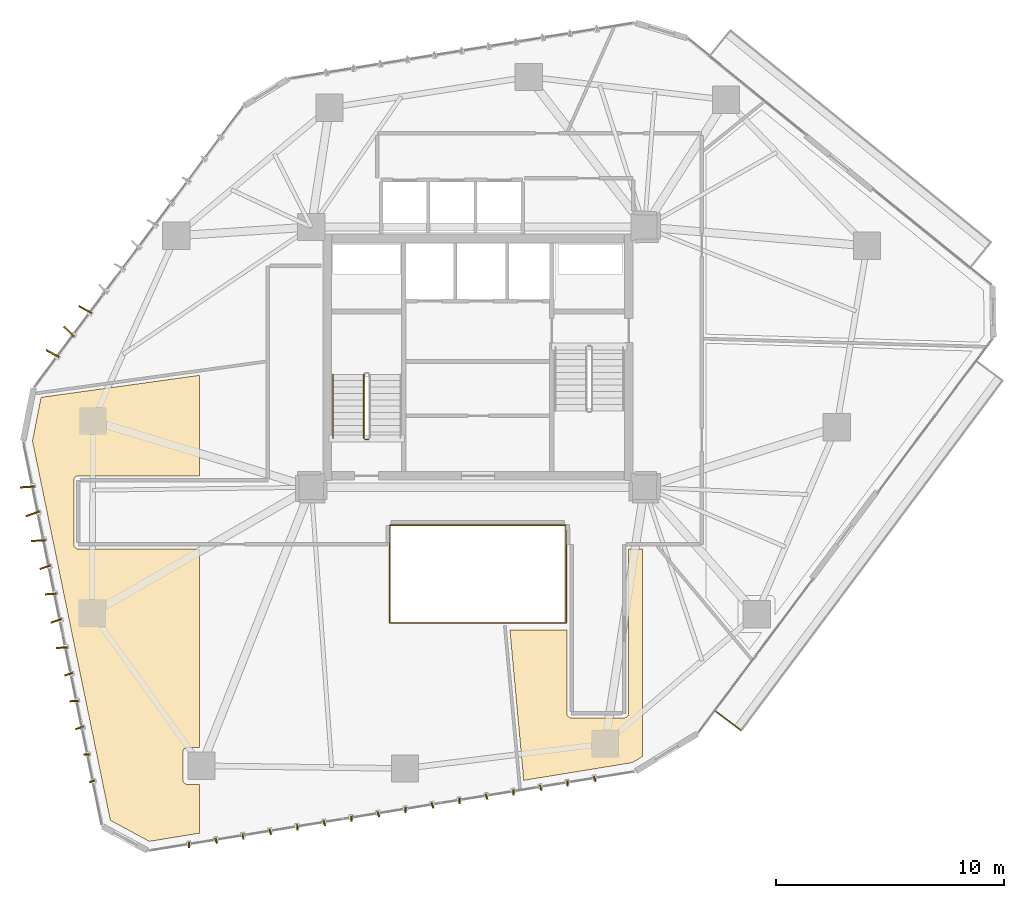
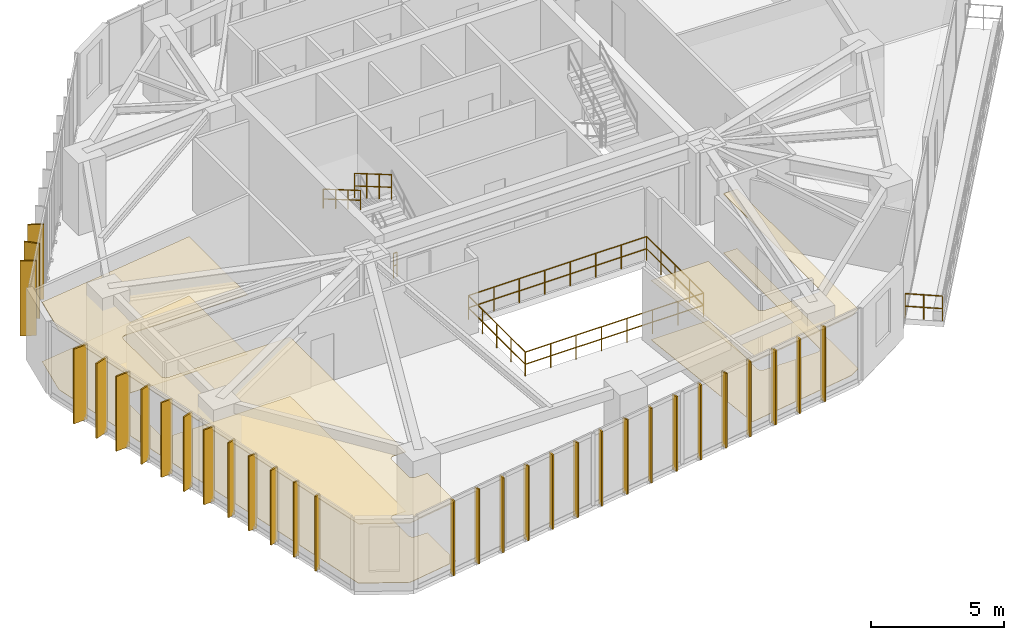
# One storey, part 21 of 23: 31 shading devices, 8 railings, 4 coverings.
"""IFC4 building model written with IfcOpenShell, lengths in metres."""

from ifc_helpers import new_model, si_unit, direction, frame, origin, origin_2d, place, context, subcontext, project, spatial, polyline, rectangle, circle, outline, extrude, source, transform, mapped, material, layer, layer_set, type_object, type_shapes, element, save


model = new_model("IFC4")

# Units and contexts
model_context = context("Model", 3, precision=1e-05, world=origin(), true_north=direction((0.0, 1.0)))
body_context = subcontext(model_context, "Body", "Model", "MODEL_VIEW")
ifc_project = project(units=[si_unit("LENGTHUNIT", "METRE"), si_unit("AREAUNIT", "SQUARE_METRE"), si_unit("VOLUMEUNIT", "CUBIC_METRE"), si_unit("PLANEANGLEUNIT", "RADIAN"), si_unit("MASSUNIT", "GRAM", prefix="KILO")], contexts=[model_context])

# Site, building, storey
site_placement = place(None, origin())
site = spatial("IfcSite", under=ifc_project, at=site_placement, CompositionType="ELEMENT")
building_placement = place(site_placement, origin())
building = spatial("IfcBuilding", under=site, at=building_placement, Name="Talar Marvaseh", CompositionType="ELEMENT")
storey_placement = place(building_placement, frame((0.0, 0.0, 118.199951171875)))
storey = spatial("IfcBuildingStorey", under=building, at=storey_placement, Name="L30", CompositionType="ELEMENT", Elevation=118.199951171875)

# Railings
ifc_material_1 = material(Name="Stainless Steel Grade 316", Category="steel")
railing_type_1 = type_object("IfcRailingType", Name="Brushed Stainless Wall Pitch Handrail 900", PredefinedType="HANDRAIL", material=ifc_material_1)
railing_1_placement = place(storey_placement, frame((19.64990234375, 30.449951171875, 1.963623046875)))
element("IfcRailing", 1, at=railing_1_placement, inside=storey, type_object=railing_type_1, Name="L30 ST-1 stair handrail 2", PredefinedType="HANDRAIL", context=body_context, shape_type="SweptSolid", body=[
    extrude(circle(Radius=0.02392578125, at=origin_2d()), frame((0.0, 0.0, 0.8759765625), z_axis=(0.0, -0.863360870873, 0.504586966384), x_axis=(1.0, 0.0, 0.0)), (0.0, 0.0, 1.0), 3.2431640625),
    extrude(circle(Radius=0.02392578125, at=origin_2d()), frame((0.0, 0.0, 0.42578125), z_axis=(0.0, -0.863360870873, 0.504586966384), x_axis=(1.0, 0.0, 0.0)), (0.0, 0.0, 1.0), 3.2431640625),
    extrude(circle(Radius=0.02099609375, at=origin_2d()), origin(), (0.0, 0.0, 1.0), 0.851806640625),
    extrude(circle(Radius=0.02099609375, at=origin_2d()), frame((0.0, -0.933349609375, 0.54541015625)), (0.0, 0.0, 1.0), 0.851806640625),
    extrude(circle(Radius=0.02099609375, at=origin_2d()), frame((0.0, -1.86669921875, 1.091064453125)), (0.0, 0.0, 1.0), 0.851806640625),
    extrude(circle(Radius=0.02099609375, at=origin_2d()), frame((0.0, -2.800048828125, 1.636474609375)), (0.0, 0.0, 1.0), 0.851806640625),
])
ifc_material_2 = material(Name="Tempered Clear Glass", Category="glass")
railing_type_2 = type_object("IfcRailingType", Name="External Laminated Glass Terrace Balustrade 1150", PredefinedType="BALUSTRADE", material=ifc_material_2)
railing_2_placement = place(storey_placement, frame((37.523681640625, 14.8603515625, 0.0)))
element("IfcRailing", 2, at=railing_2_placement, inside=storey, type_object=railing_type_2, Name="L30 External Terrace Balustrade 2 3", PredefinedType="BALUSTRADE", context=body_context, shape_type="SweptSolid", body=[
    extrude(circle(Radius=0.02392578125, at=origin_2d()), frame((0.0, 0.0, 1.1259765625), z_axis=(-0.801182813661, 0.598419668038, 0.0), x_axis=(-0.598419668038, -0.801182813661, 0.0)), (0.0, 0.0, 1.0), 1.409912109375),
    extrude(circle(Radius=0.02392578125, at=origin_2d()), frame((0.0, 0.0, 0.55078125), z_axis=(-0.801182813661, 0.598419668038, 0.0), x_axis=(-0.598419668038, -0.801182813661, 0.0)), (0.0, 0.0, 1.0), 1.409912109375),
    extrude(circle(Radius=0.02099609375, at=origin_2d()), origin(), (0.0, 0.0, 1.0), 1.101806640625),
    extrude(circle(Radius=0.02099609375, at=origin_2d()), frame((-0.56494140625, 0.421875, 0.0)), (0.0, 0.0, 1.0), 1.101806640625),
    extrude(circle(Radius=0.02099609375, at=origin_2d()), frame((-1.129638671875, 0.84375, 0.0)), (0.0, 0.0, 1.0), 1.101806640625),
])
railing_type_3 = type_object("IfcRailingType", Name="Interior Atrium Edge Balustrade 1120", PredefinedType="BALUSTRADE", material=ifc_material_2)
railing_3_placement = place(storey_placement, frame((22.1298828125, 19.561279296875, 0.0)))
element("IfcRailing", 3, at=railing_3_placement, inside=storey, type_object=railing_type_3, Name="L30 Internal Daylight Atrium Balustrade 1", PredefinedType="BALUSTRADE", context=body_context, shape_type="SweptSolid", body=[
    extrude(circle(Radius=0.02392578125, at=origin_2d()), frame((0.0, 0.0, 1.09619140625), z_axis=(1.0, 0.0, 0.0), x_axis=(0.0, 1.0, 0.0)), (0.0, 0.0, 1.0), 7.740234375),
    extrude(circle(Radius=0.02392578125, at=origin_2d()), frame((0.0, 0.0, 0.5361328125), z_axis=(1.0, 0.0, 0.0), x_axis=(0.0, 1.0, 0.0)), (0.0, 0.0, 1.0), 7.740234375),
    extrude(circle(Radius=0.02099609375, at=origin_2d()), origin(), (0.0, 0.0, 1.0), 1.072021484375),
    extrude(circle(Radius=0.02099609375, at=origin_2d()), frame((1.105712890625, 0.0, 0.0)), (0.0, 0.0, 1.0), 1.072021484375),
    extrude(circle(Radius=0.02099609375, at=origin_2d()), frame((2.21142578125, 0.0, 0.0)), (0.0, 0.0, 1.0), 1.072021484375),
    extrude(circle(Radius=0.02099609375, at=origin_2d()), frame((3.317138671875, 0.0, 0.0)), (0.0, 0.0, 1.0), 1.072021484375),
    extrude(circle(Radius=0.02099609375, at=origin_2d()), frame((4.423095703125, 0.0, 0.0)), (0.0, 0.0, 1.0), 1.072021484375),
    extrude(circle(Radius=0.02099609375, at=origin_2d()), frame((5.52880859375, 0.0, 0.0)), (0.0, 0.0, 1.0), 1.072021484375),
    extrude(circle(Radius=0.02099609375, at=origin_2d()), frame((6.634521484375, 0.0, 0.0)), (0.0, 0.0, 1.0), 1.072021484375),
    extrude(circle(Radius=0.02099609375, at=origin_2d()), frame((7.740234375, 0.0, 0.0)), (0.0, 0.0, 1.0), 1.072021484375),
])
railing_4_placement = place(storey_placement, frame((29.8701171875, 19.561279296875, 0.0)))
element("IfcRailing", 4, at=railing_4_placement, inside=storey, type_object=railing_type_3, Name="L30 Internal Daylight Atrium Balustrade 2", PredefinedType="BALUSTRADE", context=body_context, shape_type="SweptSolid", body=[
    extrude(circle(Radius=0.02392578125, at=origin_2d()), frame((0.0, 0.0, 1.09619140625), z_axis=(0.0, 1.0, 0.0), x_axis=(-1.0, 0.0, 0.0)), (0.0, 0.0, 1.0), 4.27734375),
    extrude(circle(Radius=0.02392578125, at=origin_2d()), frame((0.0, 0.0, 0.5361328125), z_axis=(0.0, 1.0, 0.0), x_axis=(-1.0, 0.0, 0.0)), (0.0, 0.0, 1.0), 4.27734375),
    extrude(circle(Radius=0.02099609375, at=origin_2d()), origin(), (0.0, 0.0, 1.0), 1.072021484375),
    extrude(circle(Radius=0.02099609375, at=origin_2d()), frame((0.0, 1.0693359375, 0.0)), (0.0, 0.0, 1.0), 1.072021484375),
    extrude(circle(Radius=0.02099609375, at=origin_2d()), frame((0.0, 2.138671875, 0.0)), (0.0, 0.0, 1.0), 1.072021484375),
    extrude(circle(Radius=0.02099609375, at=origin_2d()), frame((0.0, 3.2080078125, 0.0)), (0.0, 0.0, 1.0), 1.072021484375),
    extrude(circle(Radius=0.02099609375, at=origin_2d()), frame((0.0, 4.27734375, 0.0)), (0.0, 0.0, 1.0), 1.072021484375),
])
railing_5_placement = place(storey_placement, frame((29.8701171875, 23.838623046875, 0.0)))
element("IfcRailing", 5, at=railing_5_placement, inside=storey, type_object=railing_type_3, Name="L30 Internal Daylight Atrium Balustrade 3", PredefinedType="BALUSTRADE", context=body_context, shape_type="SweptSolid", body=[
    extrude(circle(Radius=0.02392578125, at=origin_2d()), frame((0.0, 0.0, 1.09619140625), z_axis=(-1.0, 0.0, 0.0), x_axis=(0.0, -1.0, 0.0)), (0.0, 0.0, 1.0), 7.740234375),
    extrude(circle(Radius=0.02392578125, at=origin_2d()), frame((0.0, 0.0, 0.5361328125), z_axis=(-1.0, 0.0, 0.0), x_axis=(0.0, -1.0, 0.0)), (0.0, 0.0, 1.0), 7.740234375),
    extrude(circle(Radius=0.02099609375, at=origin_2d()), origin(), (0.0, 0.0, 1.0), 1.072021484375),
    extrude(circle(Radius=0.02099609375, at=origin_2d()), frame((-1.105712890625, 0.0, 0.0)), (0.0, 0.0, 1.0), 1.072021484375),
    extrude(circle(Radius=0.02099609375, at=origin_2d()), frame((-2.21142578125, 0.0, 0.0)), (0.0, 0.0, 1.0), 1.072021484375),
    extrude(circle(Radius=0.02099609375, at=origin_2d()), frame((-3.317138671875, 0.0, 0.0)), (0.0, 0.0, 1.0), 1.072021484375),
    extrude(circle(Radius=0.02099609375, at=origin_2d()), frame((-4.423095703125, 0.0, 0.0)), (0.0, 0.0, 1.0), 1.072021484375),
    extrude(circle(Radius=0.02099609375, at=origin_2d()), frame((-5.52880859375, 0.0, 0.0)), (0.0, 0.0, 1.0), 1.072021484375),
    extrude(circle(Radius=0.02099609375, at=origin_2d()), frame((-6.634521484375, 0.0, 0.0)), (0.0, 0.0, 1.0), 1.072021484375),
    extrude(circle(Radius=0.02099609375, at=origin_2d()), frame((-7.740234375, 0.0, 0.0)), (0.0, 0.0, 1.0), 1.072021484375),
])
railing_6_placement = place(storey_placement, frame((22.1298828125, 23.838623046875, 0.0)))
element("IfcRailing", 6, at=railing_6_placement, inside=storey, type_object=railing_type_3, Name="L30 Internal Daylight Atrium Balustrade 4", PredefinedType="BALUSTRADE", context=body_context, shape_type="SweptSolid", body=[
    extrude(circle(Radius=0.02392578125, at=origin_2d()), frame((0.0, 0.0, 1.09619140625), z_axis=(0.0, -1.0, 0.0), x_axis=(1.0, 0.0, 0.0)), (0.0, 0.0, 1.0), 4.27734375),
    extrude(circle(Radius=0.02392578125, at=origin_2d()), frame((0.0, 0.0, 0.5361328125), z_axis=(0.0, -1.0, 0.0), x_axis=(1.0, 0.0, 0.0)), (0.0, 0.0, 1.0), 4.27734375),
    extrude(circle(Radius=0.02099609375, at=origin_2d()), origin(), (0.0, 0.0, 1.0), 1.072021484375),
    extrude(circle(Radius=0.02099609375, at=origin_2d()), frame((0.0, -1.0693359375, 0.0)), (0.0, 0.0, 1.0), 1.072021484375),
    extrude(circle(Radius=0.02099609375, at=origin_2d()), frame((0.0, -2.138671875, 0.0)), (0.0, 0.0, 1.0), 1.072021484375),
    extrude(circle(Radius=0.02099609375, at=origin_2d()), frame((0.0, -3.2080078125, 0.0)), (0.0, 0.0, 1.0), 1.072021484375),
    extrude(circle(Radius=0.02099609375, at=origin_2d()), frame((0.0, -4.27734375, 0.0)), (0.0, 0.0, 1.0), 1.072021484375),
])
railing_type_4 = type_object("IfcRailingType", Name="Painted Steel Core Stair Well Guardrail 1150", PredefinedType="GUARDRAIL", material=ifc_material_1)
railing_7_placement = place(storey_placement, frame((21.0, 30.449951171875, 1.963623046875)))
element("IfcRailing", 7, at=railing_7_placement, inside=storey, type_object=railing_type_4, Name="L30 ST-1 stair guard 3", PredefinedType="GUARDRAIL", context=body_context, shape_type="SweptSolid", body=[
    extrude(circle(Radius=0.02392578125, at=origin_2d()), frame((0.0, 0.0, 1.1259765625), z_axis=(0.0, -0.863360870873, 0.504586966384), x_axis=(1.0, 0.0, 0.0)), (0.0, 0.0, 1.0), 3.2431640625),
    extrude(circle(Radius=0.02392578125, at=origin_2d()), frame((0.0, 0.0, 0.55078125), z_axis=(0.0, -0.863360870873, 0.504586966384), x_axis=(1.0, 0.0, 0.0)), (0.0, 0.0, 1.0), 3.2431640625),
    extrude(circle(Radius=0.02099609375, at=origin_2d()), origin(), (0.0, 0.0, 1.0), 1.101806640625),
    extrude(circle(Radius=0.02099609375, at=origin_2d()), frame((0.0, -0.933349609375, 0.54541015625)), (0.0, 0.0, 1.0), 1.101806640625),
    extrude(circle(Radius=0.02099609375, at=origin_2d()), frame((0.0, -1.86669921875, 1.091064453125)), (0.0, 0.0, 1.0), 1.101806640625),
    extrude(circle(Radius=0.02099609375, at=origin_2d()), frame((0.0, -2.800048828125, 1.636474609375)), (0.0, 0.0, 1.0), 1.101806640625),
])
railing_8_placement = place(storey_placement, frame((21.2099609375, 27.60009765625, 0.0)))
element("IfcRailing", 8, at=railing_8_placement, inside=storey, type_object=railing_type_4, Name="L30 ST-1 stair guard 4", PredefinedType="GUARDRAIL", context=body_context, shape_type="SweptSolid", body=[
    extrude(circle(Radius=0.02392578125, at=origin_2d()), frame((0.0, 0.0, 1.1259765625), z_axis=(-1.0, 0.0, 0.0), x_axis=(0.0, -1.0, 0.0)), (0.0, 0.0, 1.0), 0.159912109375),
    extrude(circle(Radius=0.02392578125, at=origin_2d()), frame((0.0, 0.0, 0.55078125), z_axis=(-1.0, 0.0, 0.0), x_axis=(0.0, -1.0, 0.0)), (0.0, 0.0, 1.0), 0.159912109375),
    extrude(circle(Radius=0.02099609375, at=origin_2d()), origin(), (0.0, 0.0, 1.0), 1.101806640625),
    extrude(circle(Radius=0.02099609375, at=origin_2d()), frame((-0.159912109375, 0.0, 0.0)), (0.0, 0.0, 1.0), 1.101806640625),
])

# Coverings
ifc_material_3 = material(Name="Mineral Fibre Acoustic Ceiling")
ifc_layer_1 = layer(ifc_material_3, 0.02490234375)
ifc_layer_set_1 = layer_set([ifc_layer_1], Name="Mineral Fibre Acoustic Ceiling")
covering_type_1 = type_object("IfcCoveringType", Name="Perforated Mineral Fibre Acoustic Suspended Ceiling", PredefinedType="CEILING", material=ifc_layer_set_1)
covering_1_placement = place(storey_placement, frame((0.0, 0.0, 2.719970703125)))
element("IfcCovering", 9, at=covering_1_placement, inside=storey, type_object=covering_type_1, Name="L30 Curatorial Office Acoustic Ceiling", PredefinedType="CEILING", context=body_context, shape_type="SweptSolid", body=[
    extrude(outline(polyline([(6.864013671875, 29.439697265625), (13.800048828125, 30.4033203125), (13.800048828125, 26.0), (8.5, 26.0), (8.48046875, 25.9990234375), (8.4609375, 25.99609375), (8.44189453125, 25.991455078125), (8.423583984375, 25.98486328125), (8.40576171875, 25.976318359375), (8.388916015625, 25.96630859375), (8.373046875, 25.95458984375), (8.358642578125, 25.94140625), (8.345458984375, 25.927001953125), (8.333740234375, 25.9111328125), (8.323486328125, 25.894287109375), (8.315185546875, 25.87646484375), (8.30859375, 25.858154296875), (8.3037109375, 25.839111328125), (8.301025390625, 25.819580078125), (8.300048828125, 25.800048828125), (8.300048828125, 23.0), (8.301025390625, 22.98046875), (8.3037109375, 22.9609375), (8.30859375, 22.94189453125), (8.315185546875, 22.923583984375), (8.323486328125, 22.90576171875), (8.333740234375, 22.888916015625), (8.345458984375, 22.873046875), (8.358642578125, 22.858642578125), (8.373046875, 22.845458984375), (8.388916015625, 22.833740234375), (8.40576171875, 22.823486328125), (8.423583984375, 22.815185546875), (8.44189453125, 22.80859375), (8.4609375, 22.8037109375), (8.48046875, 22.801025390625), (8.5, 22.800048828125), (13.800048828125, 22.800048828125), (13.800048828125, 14.111572265625), (13.27978515625, 14.109619140625), (13.260009765625, 14.108642578125), (13.24072265625, 14.105712890625), (13.2216796875, 14.100830078125), (13.203369140625, 14.09423828125), (13.185791015625, 14.085693359375), (13.1689453125, 14.07568359375), (13.1533203125, 14.06396484375), (13.138671875, 14.05078125), (13.12548828125, 14.0361328125), (13.114013671875, 14.0205078125), (13.10400390625, 14.003662109375), (13.095703125, 13.986083984375), (13.089111328125, 13.967529296875), (13.084228515625, 13.948486328125), (13.081298828125, 13.92919921875), (13.080322265625, 13.90966796875), (13.080322265625, 12.6884765625), (13.081298828125, 12.668701171875), (13.084228515625, 12.6494140625), (13.089111328125, 12.63037109375), (13.095703125, 12.61181640625), (13.10400390625, 12.593994140625), (13.114013671875, 12.577392578125), (13.125732421875, 12.5615234375), (13.138916015625, 12.547119140625), (13.153564453125, 12.53369140625), (13.169189453125, 12.522216796875), (13.18603515625, 12.511962890625), (13.203857421875, 12.503662109375), (13.222412109375, 12.4970703125), (13.241455078125, 12.4921875), (13.2607421875, 12.489501953125), (13.280517578125, 12.48828125), (13.800048828125, 12.48828125), (13.800048828125, 10.346923828125), (11.60791015625, 9.989501953125), (9.8984375, 10.910888671875), (6.48828125, 27.529296875), (6.864013671875, 29.439697265625)])), origin(), (0.0, 0.0, 1.0), 0.025146484375),
])
covering_2_placement = place(storey_placement, frame((0.0, 0.0, 2.719970703125)))
element("IfcCovering", 10, at=covering_2_placement, inside=storey, type_object=covering_type_1, Name="L30 Gallery Concierge Reception Acoustic Ceiling", PredefinedType="CEILING", context=body_context, shape_type="SweptSolid", body=[
    extrude(outline(polyline([(29.90087890625, 15.580322265625), (29.90380859375, 15.56103515625), (29.90869140625, 15.5419921875), (29.915283203125, 15.5234375), (29.923583984375, 15.505615234375), (29.93359375, 15.489013671875), (29.9453125, 15.47314453125), (29.95849609375, 15.45849609375), (29.97314453125, 15.4453125), (29.989013671875, 15.43359375), (30.005615234375, 15.423583984375), (30.0234375, 15.415283203125), (30.0419921875, 15.40869140625), (30.06103515625, 15.40380859375), (30.080322265625, 15.40087890625), (30.10009765625, 15.39990234375), (32.39990234375, 15.39990234375), (32.419677734375, 15.40087890625), (32.43896484375, 15.40380859375), (32.4580078125, 15.40869140625), (32.4765625, 15.415283203125), (32.494384765625, 15.423583984375), (32.510986328125, 15.43359375), (32.52685546875, 15.4453125), (32.54150390625, 15.45849609375), (32.5546875, 15.47314453125), (32.56640625, 15.489013671875), (32.576416015625, 15.505615234375), (32.584716796875, 15.5234375), (32.59130859375, 15.5419921875), (32.59619140625, 15.56103515625), (32.59912109375, 15.580322265625), (32.60009765625, 15.60009765625), (32.60009765625, 22.800048828125), (33.199951171875, 22.800048828125), (33.199951171875, 13.702880859375), (32.7646484375, 13.4384765625), (28.00634765625, 12.662841796875), (27.401611328125, 19.239990234375), (29.800048828125, 19.239990234375), (29.819580078125, 19.240966796875), (29.839111328125, 19.243896484375), (29.89990234375, 19.256103515625), (29.89990234375, 15.60009765625), (29.90087890625, 15.580322265625)])), origin(), (0.0, 0.0, 1.0), 0.025146484375),
])
ifc_material_4 = material(Name="Porcelain Stoneware Tile", Category="masonry")
ifc_layer_2 = layer(ifc_material_4, 0.02001953125)
ifc_layer_set_2 = layer_set([ifc_layer_2], Name="Porcelain Stoneware Tile")
covering_type_2 = type_object("IfcCoveringType", Name="Polished Porcelain Stoneware Gallery Flooring", PredefinedType="FLOORING", material=ifc_layer_set_2)
covering_3_placement = place(storey_placement, origin())
element("IfcCovering", 11, at=covering_3_placement, inside=storey, type_object=covering_type_2, Name="L30 Curatorial Office Flooring", PredefinedType="FLOORING", context=body_context, shape_type="SweptSolid", body=[
    extrude(outline(polyline([(6.864013671875, 29.439697265625), (13.800048828125, 30.4033203125), (13.800048828125, 26.0), (8.5, 26.0), (8.48046875, 25.9990234375), (8.4609375, 25.99609375), (8.44189453125, 25.991455078125), (8.423583984375, 25.98486328125), (8.40576171875, 25.976318359375), (8.388916015625, 25.96630859375), (8.373046875, 25.95458984375), (8.358642578125, 25.94140625), (8.345458984375, 25.927001953125), (8.333740234375, 25.9111328125), (8.323486328125, 25.894287109375), (8.315185546875, 25.87646484375), (8.30859375, 25.858154296875), (8.3037109375, 25.839111328125), (8.301025390625, 25.819580078125), (8.300048828125, 25.800048828125), (8.300048828125, 23.0), (8.301025390625, 22.98046875), (8.3037109375, 22.9609375), (8.30859375, 22.94189453125), (8.315185546875, 22.923583984375), (8.323486328125, 22.90576171875), (8.333740234375, 22.888916015625), (8.345458984375, 22.873046875), (8.358642578125, 22.858642578125), (8.373046875, 22.845458984375), (8.388916015625, 22.833740234375), (8.40576171875, 22.823486328125), (8.423583984375, 22.815185546875), (8.44189453125, 22.80859375), (8.4609375, 22.8037109375), (8.48046875, 22.801025390625), (8.5, 22.800048828125), (13.800048828125, 22.800048828125), (13.800048828125, 14.111572265625), (13.27978515625, 14.109619140625), (13.260009765625, 14.108642578125), (13.24072265625, 14.105712890625), (13.2216796875, 14.100830078125), (13.203369140625, 14.09423828125), (13.185791015625, 14.085693359375), (13.1689453125, 14.07568359375), (13.1533203125, 14.06396484375), (13.138671875, 14.05078125), (13.12548828125, 14.0361328125), (13.114013671875, 14.0205078125), (13.10400390625, 14.003662109375), (13.095703125, 13.986083984375), (13.089111328125, 13.967529296875), (13.084228515625, 13.948486328125), (13.081298828125, 13.92919921875), (13.080322265625, 13.90966796875), (13.080322265625, 12.6884765625), (13.081298828125, 12.668701171875), (13.084228515625, 12.6494140625), (13.089111328125, 12.63037109375), (13.095703125, 12.61181640625), (13.10400390625, 12.593994140625), (13.114013671875, 12.577392578125), (13.125732421875, 12.5615234375), (13.138916015625, 12.547119140625), (13.153564453125, 12.53369140625), (13.169189453125, 12.522216796875), (13.18603515625, 12.511962890625), (13.203857421875, 12.503662109375), (13.222412109375, 12.4970703125), (13.241455078125, 12.4921875), (13.2607421875, 12.489501953125), (13.280517578125, 12.48828125), (13.800048828125, 12.48828125), (13.800048828125, 10.346923828125), (11.60791015625, 9.989501953125), (9.8984375, 10.910888671875), (6.48828125, 27.529296875), (6.864013671875, 29.439697265625)])), origin(), (0.0, 0.0, 1.0), 0.02001953125),
])
covering_4_placement = place(storey_placement, origin())
element("IfcCovering", 12, at=covering_4_placement, inside=storey, type_object=covering_type_2, Name="L30 Gallery Concierge Reception Flooring", PredefinedType="FLOORING", context=body_context, shape_type="SweptSolid", body=[
    extrude(outline(polyline([(29.90087890625, 15.580322265625), (29.90380859375, 15.56103515625), (29.90869140625, 15.5419921875), (29.915283203125, 15.5234375), (29.923583984375, 15.505615234375), (29.93359375, 15.489013671875), (29.9453125, 15.47314453125), (29.95849609375, 15.45849609375), (29.97314453125, 15.4453125), (29.989013671875, 15.43359375), (30.005615234375, 15.423583984375), (30.0234375, 15.415283203125), (30.0419921875, 15.40869140625), (30.06103515625, 15.40380859375), (30.080322265625, 15.40087890625), (30.10009765625, 15.39990234375), (32.39990234375, 15.39990234375), (32.419677734375, 15.40087890625), (32.43896484375, 15.40380859375), (32.4580078125, 15.40869140625), (32.4765625, 15.415283203125), (32.494384765625, 15.423583984375), (32.510986328125, 15.43359375), (32.52685546875, 15.4453125), (32.54150390625, 15.45849609375), (32.5546875, 15.47314453125), (32.56640625, 15.489013671875), (32.576416015625, 15.505615234375), (32.584716796875, 15.5234375), (32.59130859375, 15.5419921875), (32.59619140625, 15.56103515625), (32.59912109375, 15.580322265625), (32.60009765625, 15.60009765625), (32.60009765625, 22.800048828125), (33.199951171875, 22.800048828125), (33.199951171875, 13.702880859375), (32.7646484375, 13.4384765625), (28.00634765625, 12.662841796875), (27.401611328125, 19.239990234375), (29.800048828125, 19.239990234375), (29.819580078125, 19.240966796875), (29.839111328125, 19.243896484375), (29.89990234375, 19.256103515625), (29.89990234375, 15.60009765625), (29.90087890625, 15.580322265625)])), origin(), (0.0, 0.0, 1.0), 0.02001953125),
])

# Shading devices
ifc_material_5 = material(Name="Anodised Champagne Bronze Aluminium", Category="aluminium")
ifc_layer_3 = layer(ifc_material_5, 0.06494140625)
ifc_layer_set_3 = layer_set([ifc_layer_3], Name="Anodised Champagne Bronze Aluminium")
shading_device_type_1 = type_object("IfcShadingDeviceType", Name="Sawtooth Champagne Bronze Vertical Fin 240", PredefinedType="USERDEFINED", material=ifc_layer_set_3)
shared_shape_1 = source(origin(), body_context, "Body", "SweptSolid", [
    extrude(rectangle(XDim=0.239990234375, YDim=0.06494140625, at=origin_2d()), origin(), (0.0, 0.0, 1.0), 3.429931640625),
])
type_shapes(shading_device_type_1, [shared_shape_1])
for number, where, z_axis, x_axis, name in (
    (13, (9.09326171875, 12.62109375, -0.1201171875), (0.0, 0.0, 1.0), (-0.942057452787, -0.33545156975, 0.0), "L30 Sawtooth Vertical Solar Fin"),
    (14, (8.85205078125, 13.796630859375, -0.1201171875), (0.0, 0.0, 1.0), (-0.998026728428, -0.062790519529, 0.0), "L30 Sawtooth Vertical Solar Fin"),
    (15, (31.1162109375, 12.718994140625, -0.1201171875), (0.0, 0.0, 1.0), (0.296708252883, -0.954968173643, 0.0), "L30 Sawtooth Vertical Solar Fin"),
    (16, (29.931884765625, 12.52587890625, -0.1201171875), (0.0, 0.0, 1.0), (0.021989376093, -0.999758204437, 0.0), "L30 Sawtooth Vertical Solar Fin"),
    (17, (28.747314453125, 12.332763671875, -0.1201171875), (0.0, 0.0, 1.0), (0.296708252883, -0.954968173643, 0.0), "L30 Sawtooth Vertical Solar Fin"),
    (18, (27.56298828125, 12.1396484375, -0.1201171875), (0.0, 0.0, 1.0), (0.021989376093, -0.999758204437, 0.0), "L30 Sawtooth Vertical Solar Fin"),
    (19, (26.378662109375, 11.94677734375, -0.1201171875), (0.0, 0.0, 1.0), (0.296708252883, -0.954968173643, 0.0), "L30 Sawtooth Vertical Solar Fin"),
    (20, (25.1943359375, 11.753662109375, -0.1201171875), (0.0, 0.0, 1.0), (0.021989376093, -0.999758204437, 0.0), "L30 Sawtooth Vertical Solar Fin"),
    (21, (24.010009765625, 11.560546875, -0.1201171875), (0.0, 0.0, 1.0), (0.296708252883, -0.954968173643, 0.0), "L30 Sawtooth Vertical Solar Fin"),
    (22, (22.82568359375, 11.367431640625, -0.1201171875), (0.0, 0.0, 1.0), (0.021989376093, -0.999758204437, 0.0), "L30 Sawtooth Vertical Solar Fin"),
    (23, (21.64111328125, 11.17431640625, -0.1201171875), (0.0, 0.0, 1.0), (0.296708252883, -0.954968173643, 0.0), "L30 Sawtooth Vertical Solar Fin"),
    (24, (20.456787109375, 10.981201171875, -0.1201171875), (0.0, 0.0, 1.0), (0.021989376093, -0.999758204437, 0.0), "L30 Sawtooth Vertical Solar Fin"),
    (25, (19.2724609375, 10.7880859375, -0.1201171875), (0.0, 0.0, 1.0), (0.296708252883, -0.954968173643, 0.0), "L30 Sawtooth Vertical Solar Fin"),
    (26, (18.088134765625, 10.59521484375, -0.1201171875), (0.0, 0.0, 1.0), (0.021989376093, -0.999758204437, 0.0), "L30 Sawtooth Vertical Solar Fin"),
    (27, (16.90380859375, 10.402099609375, -0.1201171875), (0.0, 0.0, 1.0), (0.296708252883, -0.954968173643, 0.0), "L30 Sawtooth Vertical Solar Fin"),
    (28, (15.719482421875, 10.208984375, -0.1201171875), (0.0, 0.0, 1.0), (0.021989376093, -0.999758204437, 0.0), "L30 Sawtooth Vertical Solar Fin"),
    (29, (14.534912109375, 10.01611328125, -0.1201171875), (0.0, 0.0, 1.0), (0.296708252883, -0.954968173643, 0.0), "L30 Sawtooth Vertical Solar Fin"),
    (30, (13.3505859375, 9.822998046875, -0.1201171875), (0.0, 0.0, 1.0), (0.021989376093, -0.999758204437, 0.0), "L30 Sawtooth Vertical Solar Fin"),
):
    element("IfcShadingDevice", number, at=place(storey_placement, frame(where, z_axis=z_axis, x_axis=x_axis)), inside=storey, type_object=shading_device_type_1, Name=name, ObjectType="FIN", PredefinedType="USERDEFINED", context=body_context, shape_type="MappedRepresentation", body=[
        mapped(shared_shape_1, transform((0.0, 0.0, 0.0), x_axis=(1.0, 0.0, 0.0), y_axis=(0.0, 1.0, 0.0), z_axis=(0.0, 0.0, 1.0), scale=1.0)),
    ])
ifc_layer_4 = layer(ifc_material_5, 0.06494140625)
ifc_layer_set_4 = layer_set([ifc_layer_4], Name="Anodised Champagne Bronze Aluminium")
shading_device_type_2 = type_object("IfcShadingDeviceType", Name="Sawtooth Champagne Bronze Vertical Fin 360", PredefinedType="USERDEFINED", material=ifc_layer_set_4)
shared_shape_2 = source(origin(), body_context, "Body", "SweptSolid", [
    extrude(rectangle(XDim=0.360107421875, YDim=0.06494140625, at=origin_2d()), origin(), (0.0, 0.0, 1.0), 3.429931640625),
])
type_shapes(shading_device_type_2, [shared_shape_2])
for number, where, z_axis, x_axis, name in (
    (31, (8.552001953125, 14.9599609375, -0.1201171875), (0.0, 0.0, 1.0), (-0.942057452787, -0.33545156975, 0.0), "L30 Sawtooth Vertical Solar Fin"),
    (32, (8.310791015625, 16.135498046875, -0.1201171875), (0.0, 0.0, 1.0), (-0.998026728428, -0.062790519529, 0.0), "L30 Sawtooth Vertical Solar Fin"),
    (33, (8.069580078125, 17.31103515625, -0.1201171875), (0.0, 0.0, 1.0), (-0.942057452787, -0.33545156975, 0.0), "L30 Sawtooth Vertical Solar Fin"),
):
    element("IfcShadingDevice", number, at=place(storey_placement, frame(where, z_axis=z_axis, x_axis=x_axis)), inside=storey, type_object=shading_device_type_2, Name=name, ObjectType="FIN", PredefinedType="USERDEFINED", context=body_context, shape_type="MappedRepresentation", body=[
        mapped(shared_shape_2, transform((0.0, 0.0, 0.0), x_axis=(1.0, 0.0, 0.0), y_axis=(0.0, 1.0, 0.0), z_axis=(0.0, 0.0, 1.0), scale=1.0)),
    ])
ifc_layer_5 = layer(ifc_material_5, 0.06494140625)
ifc_layer_set_5 = layer_set([ifc_layer_5], Name="Anodised Champagne Bronze Aluminium")
shading_device_type_3 = type_object("IfcShadingDeviceType", Name="Sawtooth Champagne Bronze Vertical Fin 480", PredefinedType="USERDEFINED", material=ifc_layer_set_5)
shared_shape_3 = source(origin(), body_context, "Body", "SweptSolid", [
    extrude(rectangle(XDim=0.47998046875, YDim=0.06494140625, at=origin_2d()), origin(), (0.0, 0.0, 1.0), 3.429931640625),
])
type_shapes(shading_device_type_3, [shared_shape_3])
for number, where, z_axis, x_axis, name in (
    (34, (7.76953125, 18.474609375, -0.1201171875), (0.0, 0.0, 1.0), (-0.998026728428, -0.062790519529, 0.0), "L30 Sawtooth Vertical Solar Fin"),
    (35, (7.5283203125, 19.64990234375, -0.1201171875), (0.0, 0.0, 1.0), (-0.942057452787, -0.33545156975, 0.0), "L30 Sawtooth Vertical Solar Fin"),
    (36, (7.287109375, 20.825439453125, -0.1201171875), (0.0, 0.0, 1.0), (-0.998026728428, -0.062790519529, 0.0), "L30 Sawtooth Vertical Solar Fin"),
    (37, (7.0458984375, 22.0009765625, -0.1201171875), (0.0, 0.0, 1.0), (-0.942057452787, -0.33545156975, 0.0), "L30 Sawtooth Vertical Solar Fin"),
):
    element("IfcShadingDevice", number, at=place(storey_placement, frame(where, z_axis=z_axis, x_axis=x_axis)), inside=storey, type_object=shading_device_type_3, Name=name, ObjectType="FIN", PredefinedType="USERDEFINED", context=body_context, shape_type="MappedRepresentation", body=[
        mapped(shared_shape_3, transform((0.0, 0.0, 0.0), x_axis=(1.0, 0.0, 0.0), y_axis=(0.0, 1.0, 0.0), z_axis=(0.0, 0.0, 1.0), scale=1.0)),
    ])
ifc_layer_6 = layer(ifc_material_5, 0.06494140625)
ifc_layer_set_6 = layer_set([ifc_layer_6], Name="Anodised Champagne Bronze Aluminium")
shading_device_type_4 = type_object("IfcShadingDeviceType", Name="Sawtooth Champagne Bronze Vertical Fin 620", PredefinedType="USERDEFINED", material=ifc_layer_set_6)
shared_shape_4 = source(origin(), body_context, "Body", "SweptSolid", [
    extrude(rectangle(XDim=0.6201171875, YDim=0.06494140625, at=origin_2d()), origin(), (0.0, 0.0, 1.0), 3.429931640625),
])
type_shapes(shading_device_type_4, [shared_shape_4])
for number, where, z_axis, x_axis, name in (
    (38, (6.736083984375, 23.162353515625, -0.1201171875), (0.0, 0.0, 1.0), (-0.998026728428, -0.062790519529, 0.0), "L30 Sawtooth Vertical Solar Fin"),
    (39, (6.4951171875, 24.337890625, -0.1201171875), (0.0, 0.0, 1.0), (-0.942057452787, -0.33545156975, 0.0), "L30 Sawtooth Vertical Solar Fin"),
    (40, (6.25390625, 25.513427734375, -0.1201171875), (0.0, 0.0, 1.0), (-0.998026728428, -0.062790519529, 0.0), "L30 Sawtooth Vertical Solar Fin"),
    (41, (7.369140625, 31.360107421875, -0.1201171875), (0.0, 0.0, 1.0), (-0.877313739887, 0.479917286421, 0.0), "L30 Sawtooth Vertical Solar Fin"),
    (42, (8.086181640625, 32.322509765625, -0.1201171875), (0.0, 0.0, 1.0), (-0.711044961634, 0.703146544139, 0.0), "L30 Sawtooth Vertical Solar Fin"),
    (43, (8.802978515625, 33.284912109375, -0.1201171875), (0.0, 0.0, 1.0), (-0.877313739887, 0.479917286421, 0.0), "L30 Sawtooth Vertical Solar Fin"),
):
    element("IfcShadingDevice", number, at=place(storey_placement, frame(where, z_axis=z_axis, x_axis=x_axis)), inside=storey, type_object=shading_device_type_4, Name=name, ObjectType="FIN", PredefinedType="USERDEFINED", context=body_context, shape_type="MappedRepresentation", body=[
        mapped(shared_shape_4, transform((0.0, 0.0, 0.0), x_axis=(1.0, 0.0, 0.0), y_axis=(0.0, 1.0, 0.0), z_axis=(0.0, 0.0, 1.0), scale=1.0)),
    ])

save(model, "model.ifc")
